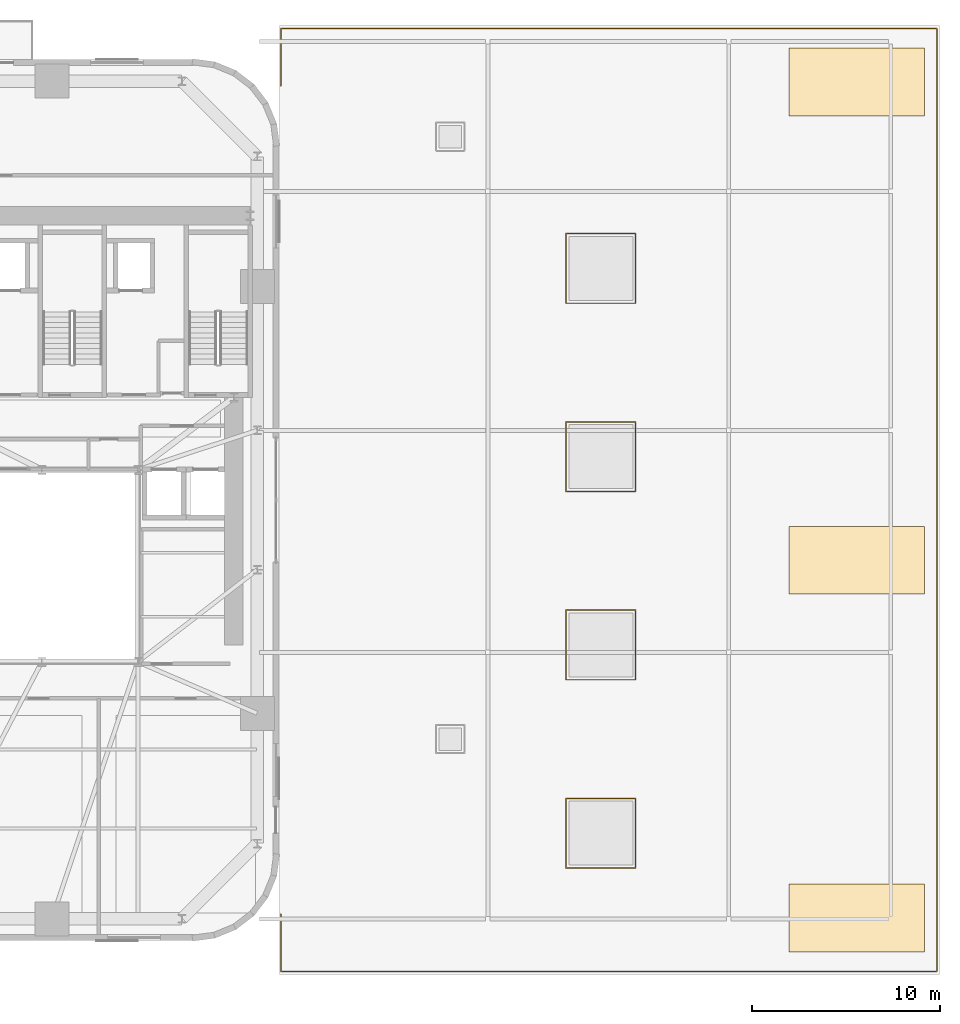
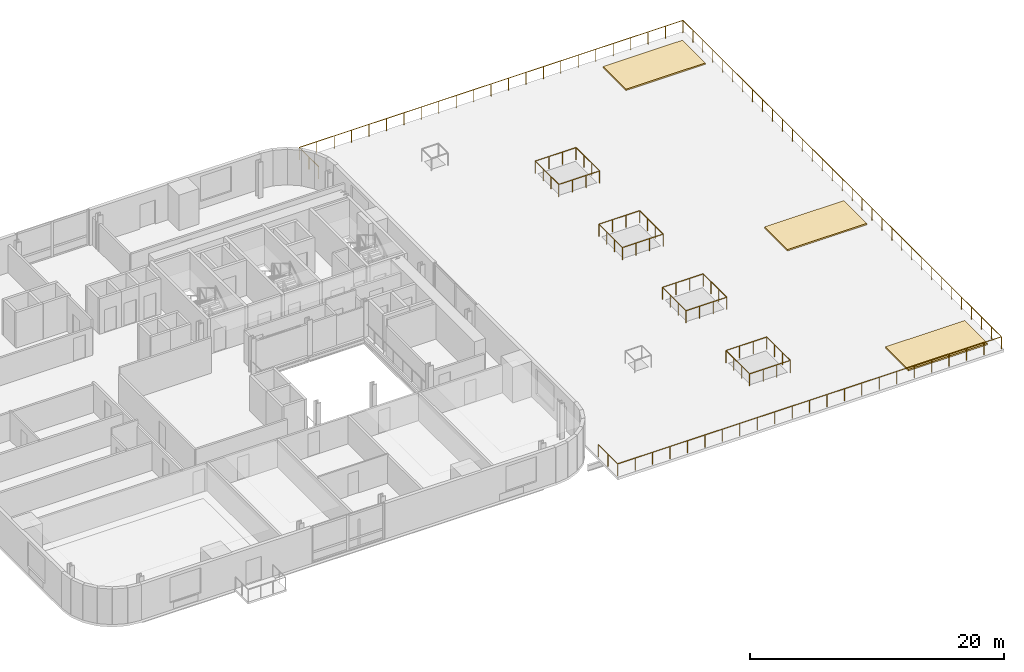
# One storey, part 18 of 18: 5 railings, 3 coverings.
"""IFC4 building model written with IfcOpenShell, lengths in metres."""

from ifc_helpers import new_model, si_unit, direction, frame, origin, origin_2d, place, context, subcontext, project, spatial, polyline, rectangle, outline, extrude, source, transform, mapped, material, layer, layer_set, type_object, element, save


model = new_model("IFC4")

# Units and contexts
model_context = context("Model", 3, precision=1e-05, world=origin(), true_north=direction((0.0, 1.0)))
body_context = subcontext(model_context, "Body", "Model", "MODEL_VIEW")
ifc_project = project(units=[si_unit("LENGTHUNIT", "METRE"), si_unit("AREAUNIT", "SQUARE_METRE"), si_unit("VOLUMEUNIT", "CUBIC_METRE"), si_unit("PLANEANGLEUNIT", "RADIAN"), si_unit("MASSUNIT", "GRAM", prefix="KILO")], contexts=[model_context])

# Site, building, storey
site_placement = place(None, origin())
site = spatial("IfcSite", under=ifc_project, at=site_placement, CompositionType="ELEMENT")
building_placement = place(site_placement, origin())
building = spatial("IfcBuilding", under=site, at=building_placement, Name="Vardaveli Station Tower", CompositionType="ELEMENT")
storey_placement = place(building_placement, frame((0.0, 0.0, 27.60009765625)))
storey = spatial("IfcBuildingStorey", under=building, at=storey_placement, Name="L06", CompositionType="ELEMENT", Elevation=27.60009765625)

# Coverings
ifc_material_1 = material(Name="Insulated waterproofing roof membrane assembly")
ifc_layer = layer(ifc_material_1, 0.139892578125, Name="Insulated waterproofing roof membrane assembly")
ifc_layer_set = layer_set([ifc_layer], Name="Insulated waterproofing roof membrane assembly")
covering_type = type_object("IfcCoveringType", Name="COV-ROOF-MB140", PredefinedType="ROOFING", material=ifc_layer_set)
covering_1_placement = place(storey_placement, origin())
element("IfcCovering", 1, at=covering_1_placement, inside=storey, type_object=covering_type, Name="COV-RF-POD1", PredefinedType="ROOFING", context=body_context, shape_type="SweptSolid", body=[
    extrude(outline(polyline([(76.0, 1.199951171875), (83.199951171875, 1.199951171875), (83.199951171875, 4.800048828125), (76.0, 4.800048828125), (76.0, 1.199951171875)])), origin(), (0.0, 0.0, 1.0), 0.139892578125),
])
covering_2_placement = place(storey_placement, origin())
element("IfcCovering", 2, at=covering_2_placement, inside=storey, type_object=covering_type, Name="COV-RF-POD2", PredefinedType="ROOFING", context=body_context, shape_type="SweptSolid", body=[
    extrude(outline(polyline([(76.0, 20.199951171875), (83.199951171875, 20.199951171875), (83.199951171875, 23.800048828125), (76.0, 23.800048828125), (76.0, 20.199951171875)])), origin(), (0.0, 0.0, 1.0), 0.139892578125),
])
covering_3_placement = place(storey_placement, origin())
element("IfcCovering", 3, at=covering_3_placement, inside=storey, type_object=covering_type, Name="COV-RF-POD3", PredefinedType="ROOFING", context=body_context, shape_type="SweptSolid", body=[
    extrude(outline(polyline([(76.0, 45.60009765625), (83.199951171875, 45.60009765625), (83.199951171875, 49.199951171875), (76.0, 49.199951171875), (76.0, 45.60009765625)])), origin(), (0.0, 0.0, 1.0), 0.139892578125),
])

# Railings
ifc_material_2 = material(Name="Laminated glass and stainless steel balustrade", Category="steel")
railing_type = type_object("IfcRailingType", Name="RL-BAL-1200", PredefinedType="BALUSTRADE", material=ifc_material_2)
shared_shape_1 = source(origin(), body_context, "Body", "SweptSolid", [
    extrude(rectangle(XDim=0.048095703125, YDim=0.048095703125, at=origin_2d()), frame((0.0, 0.0, 1.17578125), z_axis=(1.0, 0.0, 0.0), x_axis=(0.0, 1.0, 0.0)), (0.0, 0.0, 1.0), 3.7001953125),
    extrude(rectangle(XDim=0.048095703125, YDim=0.048095703125, at=origin_2d()), frame((3.7001953125, 0.0, 1.17578125), z_axis=(0.0, 1.0, 0.0), x_axis=(-1.0, 0.0, 0.0)), (0.0, 0.0, 1.0), 3.7001953125),
    extrude(rectangle(XDim=0.048095703125, YDim=0.048095703125, at=origin_2d()), frame((3.7001953125, 3.7001953125, 1.17578125), z_axis=(-1.0, 0.0, 0.0), x_axis=(0.0, -1.0, 0.0)), (0.0, 0.0, 1.0), 3.7001953125),
    extrude(rectangle(XDim=0.048095703125, YDim=0.048095703125, at=origin_2d()), frame((0.0, 3.7001953125, 1.17578125), z_axis=(0.0, -1.0, 0.0), x_axis=(1.0, 0.0, 0.0)), (0.0, 0.0, 1.0), 3.7001953125),
    extrude(rectangle(XDim=0.0419921875, YDim=0.0419921875, at=origin_2d()), origin(), (0.0, 0.0, 1.0), 1.15185546875),
    extrude(rectangle(XDim=0.0419921875, YDim=0.0419921875, at=origin_2d()), frame((1.2333984375, 0.0, 0.0)), (0.0, 0.0, 1.0), 1.15185546875),
    extrude(rectangle(XDim=0.0419921875, YDim=0.0419921875, at=origin_2d()), frame((2.466796875, 0.0, 0.0)), (0.0, 0.0, 1.0), 1.15185546875),
    extrude(rectangle(XDim=0.0419921875, YDim=0.0419921875, at=origin_2d()), frame((3.7001953125, 0.0, 0.0)), (0.0, 0.0, 1.0), 1.15185546875),
    extrude(rectangle(XDim=0.0419921875, YDim=0.0419921875, at=origin_2d()), frame((3.7001953125, 1.2333984375, 0.0)), (0.0, 0.0, 1.0), 1.15185546875),
    extrude(rectangle(XDim=0.0419921875, YDim=0.0419921875, at=origin_2d()), frame((3.7001953125, 2.466796875, 0.0)), (0.0, 0.0, 1.0), 1.15185546875),
    extrude(rectangle(XDim=0.0419921875, YDim=0.0419921875, at=origin_2d()), frame((3.7001953125, 3.7001953125, 0.0)), (0.0, 0.0, 1.0), 1.15185546875),
    extrude(rectangle(XDim=0.0419921875, YDim=0.0419921875, at=origin_2d()), frame((2.466796875, 3.7001953125, 0.0)), (0.0, 0.0, 1.0), 1.15185546875),
    extrude(rectangle(XDim=0.0419921875, YDim=0.0419921875, at=origin_2d()), frame((1.2333984375, 3.7001953125, 0.0)), (0.0, 0.0, 1.0), 1.15185546875),
    extrude(rectangle(XDim=0.0419921875, YDim=0.0419921875, at=origin_2d()), frame((0.0, 3.7001953125, 0.0)), (0.0, 0.0, 1.0), 1.15185546875),
    extrude(rectangle(XDim=0.0419921875, YDim=0.0419921875, at=origin_2d()), frame((0.0, 2.466796875, 0.0)), (0.0, 0.0, 1.0), 1.15185546875),
    extrude(rectangle(XDim=0.0419921875, YDim=0.0419921875, at=origin_2d()), frame((0.0, 1.2333984375, 0.0)), (0.0, 0.0, 1.0), 1.15185546875),
])
for number, where, name in (
    (4, (64.14990234375, 5.64990234375, 0.0), "RL-SKYPOD-01"),
    (5, (64.14990234375, 15.64990234375, 0.0), "RL-SKYPOD-02"),
    (6, (64.14990234375, 25.64990234375, 0.0), "RL-SKYPOD-03"),
    (7, (64.14990234375, 35.64990234375, 0.0), "RL-SKYPOD-04"),
):
    element("IfcRailing", number, at=place(storey_placement, frame(where)), inside=storey, type_object=railing_type, Name=name, PredefinedType="BALUSTRADE", context=body_context, shape_type="MappedRepresentation", body=[
        mapped(shared_shape_1, transform((0.0, 0.0, 0.0), scale=1.0)),
    ])
shared_shape_2 = source(origin(), body_context, "Body", "SweptSolid", [
    extrude(rectangle(XDim=0.048095703125, YDim=0.048095703125, at=origin_2d()), frame((0.0, 0.0, 1.17578125), z_axis=(0.0, -1.0, 0.0), x_axis=(1.0, 0.0, 0.0)), (0.0, 0.0, 1.0), 3.050048828125),
    extrude(rectangle(XDim=0.048095703125, YDim=0.048095703125, at=origin_2d()), frame((0.0, -3.050048828125, 1.17578125), z_axis=(1.0, 0.0, 0.0), x_axis=(0.0, 1.0, 0.0)), (0.0, 0.0, 1.0), 34.85009765625),
    extrude(rectangle(XDim=0.048095703125, YDim=0.048095703125, at=origin_2d()), frame((34.85009765625, -3.050048828125, 1.17578125), z_axis=(0.0, 1.0, 0.0), x_axis=(-1.0, 0.0, 0.0)), (0.0, 0.0, 1.0), 50.10009765625),
    extrude(rectangle(XDim=0.048095703125, YDim=0.048095703125, at=origin_2d()), frame((34.85009765625, 47.050048828125, 1.17578125), z_axis=(-1.0, 0.0, 0.0), x_axis=(0.0, -1.0, 0.0)), (0.0, 0.0, 1.0), 34.85009765625),
    extrude(rectangle(XDim=0.048095703125, YDim=0.048095703125, at=origin_2d()), frame((0.0, 47.050048828125, 1.17578125), z_axis=(0.0, -1.0, 0.0), x_axis=(1.0, 0.0, 0.0)), (0.0, 0.0, 1.0), 3.050048828125),
    extrude(rectangle(XDim=0.0419921875, YDim=0.0419921875, at=origin_2d()), origin(), (0.0, 0.0, 1.0), 1.15185546875),
    extrude(rectangle(XDim=0.0419921875, YDim=0.0419921875, at=origin_2d()), frame((0.0, -1.52490234375, 0.0)), (0.0, 0.0, 1.0), 1.15185546875),
    extrude(rectangle(XDim=0.0419921875, YDim=0.0419921875, at=origin_2d()), frame((0.0, -3.050048828125, 0.0)), (0.0, 0.0, 1.0), 1.15185546875),
    extrude(rectangle(XDim=0.0419921875, YDim=0.0419921875, at=origin_2d()), frame((1.583984375, -3.050048828125, 0.0)), (0.0, 0.0, 1.0), 1.15185546875),
    extrude(rectangle(XDim=0.0419921875, YDim=0.0419921875, at=origin_2d()), frame((3.168212890625, -3.050048828125, 0.0)), (0.0, 0.0, 1.0), 1.15185546875),
    extrude(rectangle(XDim=0.0419921875, YDim=0.0419921875, at=origin_2d()), frame((4.752197265625, -3.050048828125, 0.0)), (0.0, 0.0, 1.0), 1.15185546875),
    extrude(rectangle(XDim=0.0419921875, YDim=0.0419921875, at=origin_2d()), frame((6.33642578125, -3.050048828125, 0.0)), (0.0, 0.0, 1.0), 1.15185546875),
    extrude(rectangle(XDim=0.0419921875, YDim=0.0419921875, at=origin_2d()), frame((7.92041015625, -3.050048828125, 0.0)), (0.0, 0.0, 1.0), 1.15185546875),
    extrude(rectangle(XDim=0.0419921875, YDim=0.0419921875, at=origin_2d()), frame((9.504638671875, -3.050048828125, 0.0)), (0.0, 0.0, 1.0), 1.15185546875),
    extrude(rectangle(XDim=0.0419921875, YDim=0.0419921875, at=origin_2d()), frame((11.088623046875, -3.050048828125, 0.0)), (0.0, 0.0, 1.0), 1.15185546875),
    extrude(rectangle(XDim=0.0419921875, YDim=0.0419921875, at=origin_2d()), frame((12.6728515625, -3.050048828125, 0.0)), (0.0, 0.0, 1.0), 1.15185546875),
    extrude(rectangle(XDim=0.0419921875, YDim=0.0419921875, at=origin_2d()), frame((14.2568359375, -3.050048828125, 0.0)), (0.0, 0.0, 1.0), 1.15185546875),
    extrude(rectangle(XDim=0.0419921875, YDim=0.0419921875, at=origin_2d()), frame((15.841064453125, -3.050048828125, 0.0)), (0.0, 0.0, 1.0), 1.15185546875),
    extrude(rectangle(XDim=0.0419921875, YDim=0.0419921875, at=origin_2d()), frame((17.425048828125, -3.050048828125, 0.0)), (0.0, 0.0, 1.0), 1.15185546875),
    extrude(rectangle(XDim=0.0419921875, YDim=0.0419921875, at=origin_2d()), frame((19.009033203125, -3.050048828125, 0.0)), (0.0, 0.0, 1.0), 1.15185546875),
    extrude(rectangle(XDim=0.0419921875, YDim=0.0419921875, at=origin_2d()), frame((20.59326171875, -3.050048828125, 0.0)), (0.0, 0.0, 1.0), 1.15185546875),
    extrude(rectangle(XDim=0.0419921875, YDim=0.0419921875, at=origin_2d()), frame((22.17724609375, -3.050048828125, 0.0)), (0.0, 0.0, 1.0), 1.15185546875),
    extrude(rectangle(XDim=0.0419921875, YDim=0.0419921875, at=origin_2d()), frame((23.761474609375, -3.050048828125, 0.0)), (0.0, 0.0, 1.0), 1.15185546875),
    extrude(rectangle(XDim=0.0419921875, YDim=0.0419921875, at=origin_2d()), frame((25.345458984375, -3.050048828125, 0.0)), (0.0, 0.0, 1.0), 1.15185546875),
    extrude(rectangle(XDim=0.0419921875, YDim=0.0419921875, at=origin_2d()), frame((26.9296875, -3.050048828125, 0.0)), (0.0, 0.0, 1.0), 1.15185546875),
    extrude(rectangle(XDim=0.0419921875, YDim=0.0419921875, at=origin_2d()), frame((28.513671875, -3.050048828125, 0.0)), (0.0, 0.0, 1.0), 1.15185546875),
    extrude(rectangle(XDim=0.0419921875, YDim=0.0419921875, at=origin_2d()), frame((30.097900390625, -3.050048828125, 0.0)), (0.0, 0.0, 1.0), 1.15185546875),
    extrude(rectangle(XDim=0.0419921875, YDim=0.0419921875, at=origin_2d()), frame((31.681884765625, -3.050048828125, 0.0)), (0.0, 0.0, 1.0), 1.15185546875),
    extrude(rectangle(XDim=0.0419921875, YDim=0.0419921875, at=origin_2d()), frame((33.26611328125, -3.050048828125, 0.0)), (0.0, 0.0, 1.0), 1.15185546875),
    extrude(rectangle(XDim=0.0419921875, YDim=0.0419921875, at=origin_2d()), frame((34.85009765625, -3.050048828125, 0.0)), (0.0, 0.0, 1.0), 1.15185546875),
    extrude(rectangle(XDim=0.0419921875, YDim=0.0419921875, at=origin_2d()), frame((34.85009765625, -1.484375, 0.0)), (0.0, 0.0, 1.0), 1.15185546875),
    extrude(rectangle(XDim=0.0419921875, YDim=0.0419921875, at=origin_2d()), frame((34.85009765625, 0.081298828125, 0.0)), (0.0, 0.0, 1.0), 1.15185546875),
    extrude(rectangle(XDim=0.0419921875, YDim=0.0419921875, at=origin_2d()), frame((34.85009765625, 1.646728515625, 0.0)), (0.0, 0.0, 1.0), 1.15185546875),
    extrude(rectangle(XDim=0.0419921875, YDim=0.0419921875, at=origin_2d()), frame((34.85009765625, 3.21240234375, 0.0)), (0.0, 0.0, 1.0), 1.15185546875),
    extrude(rectangle(XDim=0.0419921875, YDim=0.0419921875, at=origin_2d()), frame((34.85009765625, 4.778076171875, 0.0)), (0.0, 0.0, 1.0), 1.15185546875),
    extrude(rectangle(XDim=0.0419921875, YDim=0.0419921875, at=origin_2d()), frame((34.85009765625, 6.34375, 0.0)), (0.0, 0.0, 1.0), 1.15185546875),
    extrude(rectangle(XDim=0.0419921875, YDim=0.0419921875, at=origin_2d()), frame((34.85009765625, 7.909423828125, 0.0)), (0.0, 0.0, 1.0), 1.15185546875),
    extrude(rectangle(XDim=0.0419921875, YDim=0.0419921875, at=origin_2d()), frame((34.85009765625, 9.47509765625, 0.0)), (0.0, 0.0, 1.0), 1.15185546875),
    extrude(rectangle(XDim=0.0419921875, YDim=0.0419921875, at=origin_2d()), frame((34.85009765625, 11.04052734375, 0.0)), (0.0, 0.0, 1.0), 1.15185546875),
    extrude(rectangle(XDim=0.0419921875, YDim=0.0419921875, at=origin_2d()), frame((34.85009765625, 12.606201171875, 0.0)), (0.0, 0.0, 1.0), 1.15185546875),
    extrude(rectangle(XDim=0.0419921875, YDim=0.0419921875, at=origin_2d()), frame((34.85009765625, 14.171875, 0.0)), (0.0, 0.0, 1.0), 1.15185546875),
    extrude(rectangle(XDim=0.0419921875, YDim=0.0419921875, at=origin_2d()), frame((34.85009765625, 15.737548828125, 0.0)), (0.0, 0.0, 1.0), 1.15185546875),
    extrude(rectangle(XDim=0.0419921875, YDim=0.0419921875, at=origin_2d()), frame((34.85009765625, 17.30322265625, 0.0)), (0.0, 0.0, 1.0), 1.15185546875),
    extrude(rectangle(XDim=0.0419921875, YDim=0.0419921875, at=origin_2d()), frame((34.85009765625, 18.86865234375, 0.0)), (0.0, 0.0, 1.0), 1.15185546875),
    extrude(rectangle(XDim=0.0419921875, YDim=0.0419921875, at=origin_2d()), frame((34.85009765625, 20.434326171875, 0.0)), (0.0, 0.0, 1.0), 1.15185546875),
    extrude(rectangle(XDim=0.0419921875, YDim=0.0419921875, at=origin_2d()), frame((34.85009765625, 22.0, 0.0)), (0.0, 0.0, 1.0), 1.15185546875),
    extrude(rectangle(XDim=0.0419921875, YDim=0.0419921875, at=origin_2d()), frame((34.85009765625, 23.565673828125, 0.0)), (0.0, 0.0, 1.0), 1.15185546875),
    extrude(rectangle(XDim=0.0419921875, YDim=0.0419921875, at=origin_2d()), frame((34.85009765625, 25.13134765625, 0.0)), (0.0, 0.0, 1.0), 1.15185546875),
    extrude(rectangle(XDim=0.0419921875, YDim=0.0419921875, at=origin_2d()), frame((34.85009765625, 26.69677734375, 0.0)), (0.0, 0.0, 1.0), 1.15185546875),
    extrude(rectangle(XDim=0.0419921875, YDim=0.0419921875, at=origin_2d()), frame((34.85009765625, 28.262451171875, 0.0)), (0.0, 0.0, 1.0), 1.15185546875),
    extrude(rectangle(XDim=0.0419921875, YDim=0.0419921875, at=origin_2d()), frame((34.85009765625, 29.828125, 0.0)), (0.0, 0.0, 1.0), 1.15185546875),
    extrude(rectangle(XDim=0.0419921875, YDim=0.0419921875, at=origin_2d()), frame((34.85009765625, 31.393798828125, 0.0)), (0.0, 0.0, 1.0), 1.15185546875),
    extrude(rectangle(XDim=0.0419921875, YDim=0.0419921875, at=origin_2d()), frame((34.85009765625, 32.95947265625, 0.0)), (0.0, 0.0, 1.0), 1.15185546875),
    extrude(rectangle(XDim=0.0419921875, YDim=0.0419921875, at=origin_2d()), frame((34.85009765625, 34.52490234375, 0.0)), (0.0, 0.0, 1.0), 1.15185546875),
    extrude(rectangle(XDim=0.0419921875, YDim=0.0419921875, at=origin_2d()), frame((34.85009765625, 36.090576171875, 0.0)), (0.0, 0.0, 1.0), 1.15185546875),
    extrude(rectangle(XDim=0.0419921875, YDim=0.0419921875, at=origin_2d()), frame((34.85009765625, 37.65625, 0.0)), (0.0, 0.0, 1.0), 1.15185546875),
    extrude(rectangle(XDim=0.0419921875, YDim=0.0419921875, at=origin_2d()), frame((34.85009765625, 39.221923828125, 0.0)), (0.0, 0.0, 1.0), 1.15185546875),
    extrude(rectangle(XDim=0.0419921875, YDim=0.0419921875, at=origin_2d()), frame((34.85009765625, 40.78759765625, 0.0)), (0.0, 0.0, 1.0), 1.15185546875),
    extrude(rectangle(XDim=0.0419921875, YDim=0.0419921875, at=origin_2d()), frame((34.85009765625, 42.353271484375, 0.0)), (0.0, 0.0, 1.0), 1.15185546875),
    extrude(rectangle(XDim=0.0419921875, YDim=0.0419921875, at=origin_2d()), frame((34.85009765625, 43.918701171875, 0.0)), (0.0, 0.0, 1.0), 1.15185546875),
    extrude(rectangle(XDim=0.0419921875, YDim=0.0419921875, at=origin_2d()), frame((34.85009765625, 45.484375, 0.0)), (0.0, 0.0, 1.0), 1.15185546875),
    extrude(rectangle(XDim=0.0419921875, YDim=0.0419921875, at=origin_2d()), frame((34.85009765625, 47.050048828125, 0.0)), (0.0, 0.0, 1.0), 1.15185546875),
    extrude(rectangle(XDim=0.0419921875, YDim=0.0419921875, at=origin_2d()), frame((33.26611328125, 47.050048828125, 0.0)), (0.0, 0.0, 1.0), 1.15185546875),
    extrude(rectangle(XDim=0.0419921875, YDim=0.0419921875, at=origin_2d()), frame((31.681884765625, 47.050048828125, 0.0)), (0.0, 0.0, 1.0), 1.15185546875),
    extrude(rectangle(XDim=0.0419921875, YDim=0.0419921875, at=origin_2d()), frame((30.097900390625, 47.050048828125, 0.0)), (0.0, 0.0, 1.0), 1.15185546875),
    extrude(rectangle(XDim=0.0419921875, YDim=0.0419921875, at=origin_2d()), frame((28.513671875, 47.050048828125, 0.0)), (0.0, 0.0, 1.0), 1.15185546875),
    extrude(rectangle(XDim=0.0419921875, YDim=0.0419921875, at=origin_2d()), frame((26.9296875, 47.050048828125, 0.0)), (0.0, 0.0, 1.0), 1.15185546875),
    extrude(rectangle(XDim=0.0419921875, YDim=0.0419921875, at=origin_2d()), frame((25.345458984375, 47.050048828125, 0.0)), (0.0, 0.0, 1.0), 1.15185546875),
    extrude(rectangle(XDim=0.0419921875, YDim=0.0419921875, at=origin_2d()), frame((23.761474609375, 47.050048828125, 0.0)), (0.0, 0.0, 1.0), 1.15185546875),
    extrude(rectangle(XDim=0.0419921875, YDim=0.0419921875, at=origin_2d()), frame((22.17724609375, 47.050048828125, 0.0)), (0.0, 0.0, 1.0), 1.15185546875),
    extrude(rectangle(XDim=0.0419921875, YDim=0.0419921875, at=origin_2d()), frame((20.59326171875, 47.050048828125, 0.0)), (0.0, 0.0, 1.0), 1.15185546875),
    extrude(rectangle(XDim=0.0419921875, YDim=0.0419921875, at=origin_2d()), frame((19.009033203125, 47.050048828125, 0.0)), (0.0, 0.0, 1.0), 1.15185546875),
    extrude(rectangle(XDim=0.0419921875, YDim=0.0419921875, at=origin_2d()), frame((17.425048828125, 47.050048828125, 0.0)), (0.0, 0.0, 1.0), 1.15185546875),
    extrude(rectangle(XDim=0.0419921875, YDim=0.0419921875, at=origin_2d()), frame((15.841064453125, 47.050048828125, 0.0)), (0.0, 0.0, 1.0), 1.15185546875),
    extrude(rectangle(XDim=0.0419921875, YDim=0.0419921875, at=origin_2d()), frame((14.2568359375, 47.050048828125, 0.0)), (0.0, 0.0, 1.0), 1.15185546875),
    extrude(rectangle(XDim=0.0419921875, YDim=0.0419921875, at=origin_2d()), frame((12.6728515625, 47.050048828125, 0.0)), (0.0, 0.0, 1.0), 1.15185546875),
    extrude(rectangle(XDim=0.0419921875, YDim=0.0419921875, at=origin_2d()), frame((11.088623046875, 47.050048828125, 0.0)), (0.0, 0.0, 1.0), 1.15185546875),
    extrude(rectangle(XDim=0.0419921875, YDim=0.0419921875, at=origin_2d()), frame((9.504638671875, 47.050048828125, 0.0)), (0.0, 0.0, 1.0), 1.15185546875),
    extrude(rectangle(XDim=0.0419921875, YDim=0.0419921875, at=origin_2d()), frame((7.92041015625, 47.050048828125, 0.0)), (0.0, 0.0, 1.0), 1.15185546875),
    extrude(rectangle(XDim=0.0419921875, YDim=0.0419921875, at=origin_2d()), frame((6.33642578125, 47.050048828125, 0.0)), (0.0, 0.0, 1.0), 1.15185546875),
    extrude(rectangle(XDim=0.0419921875, YDim=0.0419921875, at=origin_2d()), frame((4.752197265625, 47.050048828125, 0.0)), (0.0, 0.0, 1.0), 1.15185546875),
    extrude(rectangle(XDim=0.0419921875, YDim=0.0419921875, at=origin_2d()), frame((3.168212890625, 47.050048828125, 0.0)), (0.0, 0.0, 1.0), 1.15185546875),
    extrude(rectangle(XDim=0.0419921875, YDim=0.0419921875, at=origin_2d()), frame((1.583984375, 47.050048828125, 0.0)), (0.0, 0.0, 1.0), 1.15185546875),
    extrude(rectangle(XDim=0.0419921875, YDim=0.0419921875, at=origin_2d()), frame((0.0, 47.050048828125, 0.0)), (0.0, 0.0, 1.0), 1.15185546875),
    extrude(rectangle(XDim=0.0419921875, YDim=0.0419921875, at=origin_2d()), frame((0.0, 45.52490234375, 0.0)), (0.0, 0.0, 1.0), 1.15185546875),
    extrude(rectangle(XDim=0.0419921875, YDim=0.0419921875, at=origin_2d()), frame((0.0, 44.0, 0.0)), (0.0, 0.0, 1.0), 1.15185546875),
])
railing_placement = place(storey_placement, frame((49.0, 3.199951171875, 0.0)))
element("IfcRailing", 8, at=railing_placement, inside=storey, type_object=railing_type, Name="RL-L05-PODROOF", PredefinedType="BALUSTRADE", context=body_context, shape_type="MappedRepresentation", body=[
    mapped(shared_shape_2, transform((0.0, 0.0, 0.0), scale=1.0)),
])

save(model, "model.ifc")
